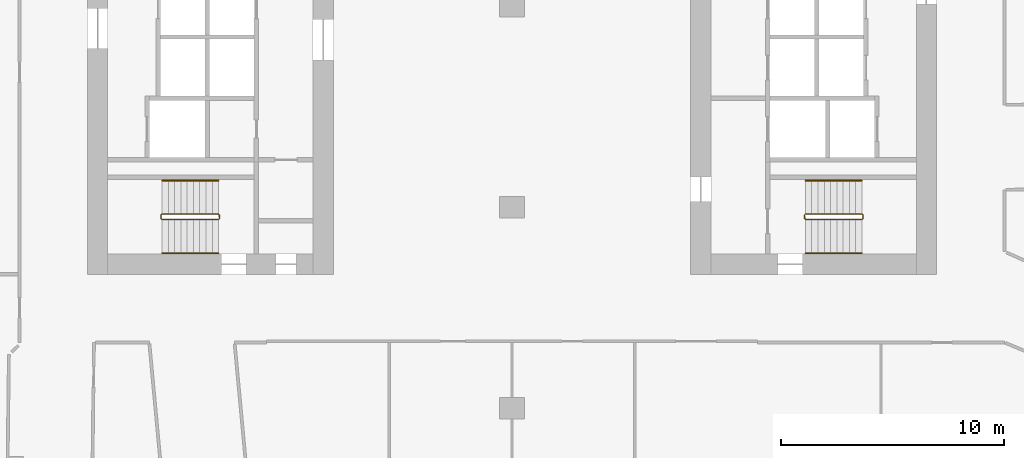
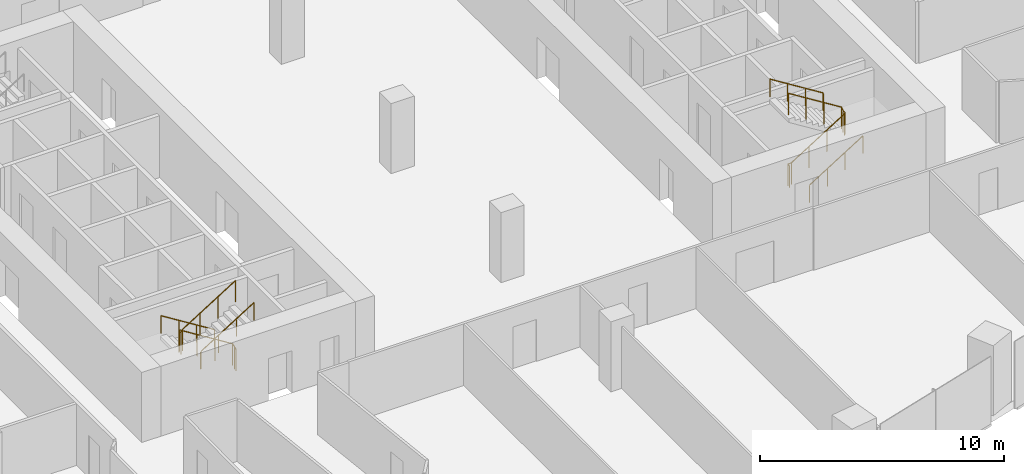
# One storey, part 29 of 31: 6 railings.
"""IFC4 building model written with IfcOpenShell, lengths in metres."""

import ifcopenshell
import ifcopenshell.guid

model = None  # the IFC model being written
_history = None  # IfcOwnerHistory: only IFC2X3 demands one
_inside = {}  # id of a spatial element -> (the spatial element, [elements in it])
_under = {}  # id of a project, library or spatial element -> (it, [spatial elements below it])
_declared = {}  # id of a project -> (the project, [libraries it declares])
_typed = {}  # id of a type object -> (the type object, [elements of that type])
_made_of = {}  # id of a material, layer set ... -> (it, [elements and type objects made of it])


def new_model(schema):
    """Start an empty IFC model of exactly this schema.

    Asked for "IFC4X3", IfcOpenShell would pick the latest addendum, in which some entities
    have other attributes; the version numbers below select the first issue.
    IFC2X3 requires an IfcOwnerHistory on every rooted entity: one is made here for all.
    """
    global model, _history
    if schema == "IFC4X3":
        model = ifcopenshell.file(schema_version=(4, 3, 0, 0))
    else:
        model = ifcopenshell.file(schema=schema)
    _inside.clear()
    _under.clear()
    _declared.clear()
    _typed.clear()
    _made_of.clear()
    _history = None
    if model.schema == "IFC2X3":
        org = make("IfcOrganization", Name="unknown")
        user = make(
            "IfcPersonAndOrganization",
            ThePerson=make("IfcPerson", FamilyName="unknown"),
            TheOrganization=org,
        )
        app = make(
            "IfcApplication",
            ApplicationDeveloper=org,
            Version="unknown",
            ApplicationFullName="unknown",
            ApplicationIdentifier="unknown",
        )
        _history = make(
            "IfcOwnerHistory",
            OwningUser=user,
            OwningApplication=app,
            ChangeAction="ADDED",
            CreationDate=0,
        )
    return model


def make(cls, **values):
    """One entity of the class cls with the attributes given. An attribute that is None is left unset."""
    return model.create_entity(
        cls, **{name: value for name, value in values.items() if value is not None}
    )


def rooted(cls, **values):
    """An entity with a GlobalId (a new one), such as an element, a storey or a relation."""
    return make(cls, GlobalId=ifcopenshell.guid.new(), OwnerHistory=_history, **values)


def si_unit(unit_type, name, prefix=None):
    """IfcSIUnit, for example si_unit("LENGTHUNIT", "METRE", prefix="MILLI")."""
    return make("IfcSIUnit", UnitType=unit_type, Prefix=prefix, Name=name)


def assignment(units):
    """IfcUnitAssignment: the units of a project."""
    return None if units is None else make("IfcUnitAssignment", Units=units)


def point(xyz):
    """IfcCartesianPoint."""
    return None if xyz is None else make("IfcCartesianPoint", Coordinates=xyz)


def direction(xyz):
    """IfcDirection."""
    return None if xyz is None else make("IfcDirection", DirectionRatios=xyz)


def frame(location, z_axis=None, x_axis=None):
    """IfcAxis2Placement3D, a coordinate frame: its origin and axes. An axis left out is left unset."""
    return make(
        "IfcAxis2Placement3D",
        Location=point(location),
        Axis=direction(z_axis),
        RefDirection=direction(x_axis),
    )


def frame_2d(location, x_axis=None):
    """IfcAxis2Placement2D, a coordinate frame in the plane: its origin and x axis."""
    return make(
        "IfcAxis2Placement2D", Location=point(location), RefDirection=direction(x_axis)
    )


def origin():
    """The frame at (0, 0, 0) with its axes left unset."""
    return frame((0.0, 0.0, 0.0))


def origin_2d():
    """The frame at (0, 0) in the plane with its x axis left unset."""
    return frame_2d((0.0, 0.0))


def place(relative_to, where):
    """IfcLocalPlacement: puts the frame where relative to a parent placement (None: the world)."""
    return make(
        "IfcLocalPlacement", PlacementRelTo=relative_to, RelativePlacement=where
    )


def context(
    kind, dimensions, precision=None, world=None, true_north=None, identifier=None
):
    """IfcGeometricRepresentationContext, for example the 3D "Model" context."""
    return make(
        "IfcGeometricRepresentationContext",
        ContextIdentifier=identifier,
        ContextType=kind,
        CoordinateSpaceDimension=dimensions,
        Precision=precision,
        WorldCoordinateSystem=world,
        TrueNorth=true_north,
    )


def subcontext(parent, identifier, kind, view, scale=None):
    """IfcGeometricRepresentationSubContext, for example "Body" below "Model"."""
    return make(
        "IfcGeometricRepresentationSubContext",
        ContextIdentifier=identifier,
        ContextType=kind,
        ParentContext=parent,
        TargetScale=scale,
        TargetView=view,
    )


def project(units=None, contexts=None):
    """IfcProject with its units and contexts."""
    return rooted(
        "IfcProject",
        Name="project",
        RepresentationContexts=contexts,
        UnitsInContext=assignment(units),
    )


def spatial(cls, under=None, at=None, **own):
    """A site, building, storey or space (cls), placed at a placement, below another one or the project."""
    s = rooted(cls, ObjectPlacement=at, **own)
    if under is not None:
        _under.setdefault(under.id(), (under, []))[1].append(s)
    return s


def profile(cls, at=None, kind="AREA", **sizes):
    """A parametric profile (cls). Its sizes go by their IFC names, for example OverallWidth=200.0."""
    return make(cls, ProfileType=kind, Position=at, **sizes)


def circle(**sizes):
    """IfcCircleProfileDef."""
    return profile("IfcCircleProfileDef", **sizes)


def extrude(swept, where, along, depth):
    """IfcExtrudedAreaSolid: the profile swept, set in the frame where, extruded along a direction by depth."""
    return make(
        "IfcExtrudedAreaSolid",
        SweptArea=swept,
        Position=where,
        ExtrudedDirection=direction(along),
        Depth=depth,
    )


def shape(context_of_items, identifier, shape_type, items):
    """IfcShapeRepresentation: the items that make up one representation, for example the "Body"."""
    return make(
        "IfcShapeRepresentation",
        ContextOfItems=context_of_items,
        RepresentationIdentifier=identifier,
        RepresentationType=shape_type,
        Items=items,
    )


def material(Name=None, Category=None):
    """IfcMaterial."""
    return make("IfcMaterial", Name=Name, Category=Category)


def made_of(thing, what):
    """Note that an element or type object is made of a material, layer set ...; save() writes the relation."""
    if what is not None:
        _made_of.setdefault(what.id(), (what, []))[1].append(thing)
    return thing


def type_object(cls, material=None, **own):
    """A type object (cls), such as IfcWallType, which elements share."""
    return made_of(rooted(cls, **own), material)


def element(
    cls,
    number,
    at=None,
    inside=None,
    cuts=None,
    type_object=None,
    material=None,
    context=None,
    identifier="Body",
    shape_type=None,
    held_by="IfcProductDefinitionShape",
    body=None,
    shapes=None,
    **own,
):
    """One element of the class cls, such as IfcWall. Its Tag is "e" and its number.

    at: its placement. inside: the storey or other place that contains it. cuts: it is an
    opening in that element (IfcRelVoidsElement). A single representation is given by context,
    identifier, shape_type and body (its items); several are given by shapes. held_by: the class
    of the entity that holds the representations. save() writes the other relations.
    """
    e = rooted(cls, Tag="e%d" % number, ObjectPlacement=at, **own)
    if body is not None:
        shapes = [shape(context, identifier, shape_type, body)]
    if shapes is not None:
        e.Representation = make(held_by, Representations=shapes)
    if inside is not None:
        _inside.setdefault(inside.id(), (inside, []))[1].append(e)
    if cuts is not None:
        rooted(
            "IfcRelVoidsElement", RelatingBuildingElement=cuts, RelatedOpeningElement=e
        )
    if type_object is not None:
        _typed.setdefault(type_object.id(), (type_object, []))[1].append(e)
    return made_of(e, material)


def aggregate(whole, parts):
    """IfcRelAggregates: a whole, such as a stair, and the parts it consists of."""
    return rooted("IfcRelAggregates", RelatingObject=whole, RelatedObjects=parts)


def save(model, path):
    """Write the relations noted so far, then the file.

    IfcRelAggregates (storeys below a building ...), IfcRelContainedInSpatialStructure (elements
    in a storey), IfcRelDefinesByType, IfcRelAssociatesMaterial and IfcRelDeclares: one each for
    every whole, place, type object, material and project.
    """
    for whole, parts in _under.values():
        aggregate(whole, parts)
    for where, things in _inside.values():
        rooted(
            "IfcRelContainedInSpatialStructure",
            RelatedElements=things,
            RelatingStructure=where,
        )
    for kind, things in _typed.values():
        rooted("IfcRelDefinesByType", RelatedObjects=things, RelatingType=kind)
    for what, things in _made_of.values():
        rooted("IfcRelAssociatesMaterial", RelatedObjects=things, RelatingMaterial=what)
    for by, libraries in _declared.values():
        rooted("IfcRelDeclares", RelatingContext=by, RelatedDefinitions=libraries)
    model.write(path)


model = new_model("IFC4")

# Units and contexts
model_context = context("Model", 3, precision=1e-05, world=origin(), true_north=direction((0.0, 1.0)))
body_context = subcontext(model_context, "Body", "Model", "MODEL_VIEW")
ifc_project = project(units=[si_unit("LENGTHUNIT", "METRE"), si_unit("AREAUNIT", "SQUARE_METRE"), si_unit("VOLUMEUNIT", "CUBIC_METRE"), si_unit("PLANEANGLEUNIT", "RADIAN"), si_unit("MASSUNIT", "GRAM", prefix="KILO")], contexts=[model_context])

# Site, building, storey
site_placement = place(None, origin())
site = spatial("IfcSite", under=ifc_project, at=site_placement, CompositionType="ELEMENT")
building_placement = place(site_placement, origin())
building = spatial("IfcBuilding", under=site, at=building_placement, Name="Orlundy Tower", CompositionType="ELEMENT")
storey_placement = place(building_placement, frame((0.0, 0.0, 94.699951171875)))
storey = spatial("IfcBuildingStorey", under=building, at=storey_placement, Name="L23", CompositionType="ELEMENT", Elevation=94.699951171875)

# Railings
ifc_material_1 = material(Name="Steel balustrade", Category="steel")
railing_type_1 = type_object("IfcRailingType", Name="Stair Guard 1100", PredefinedType="GUARDRAIL", material=ifc_material_1)
railing_1_placement = place(storey_placement, frame((-13.090087890625, -9.35009765625, 0.0)))
element("IfcRailing", 1, at=railing_1_placement, inside=storey, type_object=railing_type_1, Name="L23 ST-W2 stair guard 1", PredefinedType="GUARDRAIL", context=body_context, shape_type="SweptSolid", body=[
    extrude(circle(Radius=0.02392578125, at=origin_2d()), frame((0.0, 0.0, 1.076171875), z_axis=(0.0, -1.0, 0.0), x_axis=(1.0, 0.0, 0.0)), (0.0, 0.0, 1.0), 0.14990234375),
    extrude(circle(Radius=0.02392578125, at=origin_2d()), frame((0.0, -0.14990234375, 1.076171875), z_axis=(-0.18420542264, 0.739530593833, 0.647427882513), x_axis=(-0.970351222016, -0.241699205484, 0.0)), (0.0, 0.0, 1.0), 0.270263671875),
    extrude(circle(Radius=0.02392578125, at=origin_2d()), frame((-0.0498046875, 0.050048828125, 1.2509765625), z_axis=(-0.848007534815, 0.0, 0.529984170421), x_axis=(0.0, -1.0, 0.0)), (0.0, 0.0, 1.0), 2.9716796875),
    extrude(circle(Radius=0.02392578125, at=origin_2d()), frame((-2.56982421875, 0.050048828125, 2.826171875), z_axis=(-0.707106781187, -0.707106781187, 0.0), x_axis=(0.707106781187, -0.707106781187, 0.0)), (0.0, 0.0, 1.0), 0.07080078125),
    extrude(circle(Radius=0.02392578125, at=origin_2d()), frame((-2.619873046875, 0.0, 2.826171875), z_axis=(0.0, -1.0, 0.0), x_axis=(1.0, 0.0, 0.0)), (0.0, 0.0, 1.0), 0.14990234375),
    extrude(circle(Radius=0.02392578125, at=origin_2d()), frame((-2.619873046875, -0.14990234375, 2.826171875), z_axis=(0.265065253269, -0.265065253269, 0.927081885822), x_axis=(0.707106781187, 0.707106781187, 0.0)), (0.0, 0.0, 1.0), 0.188720703125),
    extrude(circle(Radius=0.02392578125, at=origin_2d()), frame((-2.56982421875, -0.199951171875, 3.0009765625), z_axis=(0.848007534815, 0.0, 0.529984170421), x_axis=(0.0, 1.0, 0.0)), (0.0, 0.0, 1.0), 2.9716796875),
    extrude(circle(Radius=0.02099609375, at=origin_2d()), origin(), (0.0, 0.0, 1.0), 1.052001953125),
    extrude(circle(Radius=0.02099609375, at=origin_2d()), frame((0.0, -0.14990234375, 0.0)), (0.0, 0.0, 1.0), 1.052001953125),
    extrude(circle(Radius=0.02099609375, at=origin_2d()), frame((-0.0498046875, 0.050048828125, 0.175048828125)), (0.0, 0.0, 1.0), 1.052001953125),
    extrude(circle(Radius=0.02099609375, at=origin_2d()), frame((-0.889892578125, 0.050048828125, 0.699951171875)), (0.0, 0.0, 1.0), 1.052001953125),
    extrude(circle(Radius=0.02099609375, at=origin_2d()), frame((-1.729736328125, 0.050048828125, 1.22509765625)), (0.0, 0.0, 1.0), 1.052001953125),
    extrude(circle(Radius=0.02099609375, at=origin_2d()), frame((-2.56982421875, 0.050048828125, 1.75)), (0.0, 0.0, 1.0), 1.052001953125),
    extrude(circle(Radius=0.02099609375, at=origin_2d()), frame((-2.619873046875, 0.0, 1.75)), (0.0, 0.0, 1.0), 1.052001953125),
    extrude(circle(Radius=0.02099609375, at=origin_2d()), frame((-2.619873046875, -0.14990234375, 1.75)), (0.0, 0.0, 1.0), 1.052001953125),
    extrude(circle(Radius=0.02099609375, at=origin_2d()), frame((-2.56982421875, -0.199951171875, 1.925048828125)), (0.0, 0.0, 1.0), 1.052001953125),
    extrude(circle(Radius=0.02099609375, at=origin_2d()), frame((-1.729736328125, -0.199951171875, 2.449951171875)), (0.0, 0.0, 1.0), 1.052001953125),
    extrude(circle(Radius=0.02099609375, at=origin_2d()), frame((-0.889892578125, -0.199951171875, 2.97509765625)), (0.0, 0.0, 1.0), 1.052001953125),
    extrude(circle(Radius=0.02099609375, at=origin_2d()), frame((-0.0498046875, -0.199951171875, 3.5)), (0.0, 0.0, 1.0), 1.052001953125),
])
railing_2_placement = place(storey_placement, frame((13.090087890625, -9.5, 0.0)))
element("IfcRailing", 2, at=railing_2_placement, inside=storey, type_object=railing_type_1, Name="L23 ST-E1 stair guard 1", PredefinedType="GUARDRAIL", context=body_context, shape_type="SweptSolid", body=[
    extrude(circle(Radius=0.02392578125, at=origin_2d()), frame((0.0, 0.0, 1.076171875), z_axis=(0.0, 1.0, 0.0), x_axis=(-1.0, 0.0, 0.0)), (0.0, 0.0, 1.0), 0.14990234375),
    extrude(circle(Radius=0.02392578125, at=origin_2d()), frame((0.0, 0.14990234375, 1.076171875), z_axis=(0.18420542264, -0.739530593833, 0.647427882513), x_axis=(0.970351222016, 0.241699205484, 0.0)), (0.0, 0.0, 1.0), 0.270263671875),
    extrude(circle(Radius=0.02392578125, at=origin_2d()), frame((0.0498046875, -0.050048828125, 1.2509765625), z_axis=(0.848007534815, 0.0, 0.529984170421), x_axis=(0.0, 1.0, 0.0)), (0.0, 0.0, 1.0), 2.9716796875),
    extrude(circle(Radius=0.02392578125, at=origin_2d()), frame((2.56982421875, -0.050048828125, 2.826171875), z_axis=(0.707106781187, 0.707106781187, 0.0), x_axis=(-0.707106781187, 0.707106781187, 0.0)), (0.0, 0.0, 1.0), 0.07080078125),
    extrude(circle(Radius=0.02392578125, at=origin_2d()), frame((2.619873046875, 0.0, 2.826171875), z_axis=(0.0, 1.0, 0.0), x_axis=(-1.0, 0.0, 0.0)), (0.0, 0.0, 1.0), 0.14990234375),
    extrude(circle(Radius=0.02392578125, at=origin_2d()), frame((2.619873046875, 0.14990234375, 2.826171875), z_axis=(-0.265065253269, 0.265065253269, 0.927081885822), x_axis=(-0.707106781187, -0.707106781187, 0.0)), (0.0, 0.0, 1.0), 0.188720703125),
    extrude(circle(Radius=0.02392578125, at=origin_2d()), frame((2.56982421875, 0.199951171875, 3.0009765625), z_axis=(-0.848007534815, 0.0, 0.529984170421), x_axis=(0.0, -1.0, 0.0)), (0.0, 0.0, 1.0), 2.9716796875),
    extrude(circle(Radius=0.02099609375, at=origin_2d()), origin(), (0.0, 0.0, 1.0), 1.052001953125),
    extrude(circle(Radius=0.02099609375, at=origin_2d()), frame((0.0, 0.14990234375, 0.0)), (0.0, 0.0, 1.0), 1.052001953125),
    extrude(circle(Radius=0.02099609375, at=origin_2d()), frame((0.0498046875, -0.050048828125, 0.175048828125)), (0.0, 0.0, 1.0), 1.052001953125),
    extrude(circle(Radius=0.02099609375, at=origin_2d()), frame((0.889892578125, -0.050048828125, 0.699951171875)), (0.0, 0.0, 1.0), 1.052001953125),
    extrude(circle(Radius=0.02099609375, at=origin_2d()), frame((1.729736328125, -0.050048828125, 1.22509765625)), (0.0, 0.0, 1.0), 1.052001953125),
    extrude(circle(Radius=0.02099609375, at=origin_2d()), frame((2.56982421875, -0.050048828125, 1.75)), (0.0, 0.0, 1.0), 1.052001953125),
    extrude(circle(Radius=0.02099609375, at=origin_2d()), frame((2.619873046875, 0.0, 1.75)), (0.0, 0.0, 1.0), 1.052001953125),
    extrude(circle(Radius=0.02099609375, at=origin_2d()), frame((2.619873046875, 0.14990234375, 1.75)), (0.0, 0.0, 1.0), 1.052001953125),
    extrude(circle(Radius=0.02099609375, at=origin_2d()), frame((2.56982421875, 0.199951171875, 1.925048828125)), (0.0, 0.0, 1.0), 1.052001953125),
    extrude(circle(Radius=0.02099609375, at=origin_2d()), frame((1.729736328125, 0.199951171875, 2.449951171875)), (0.0, 0.0, 1.0), 1.052001953125),
    extrude(circle(Radius=0.02099609375, at=origin_2d()), frame((0.889892578125, 0.199951171875, 2.97509765625)), (0.0, 0.0, 1.0), 1.052001953125),
    extrude(circle(Radius=0.02099609375, at=origin_2d()), frame((0.0498046875, 0.199951171875, 3.5)), (0.0, 0.0, 1.0), 1.052001953125),
])
ifc_material_2 = material(Name="Steel handrail", Category="steel")
railing_type_2 = type_object("IfcRailingType", Name="Stair Handrail 900", PredefinedType="HANDRAIL", material=ifc_material_2)
railing_3_placement = place(storey_placement, frame((-13.139892578125, -7.800048828125, 0.175048828125)))
element("IfcRailing", 3, at=railing_3_placement, inside=storey, type_object=railing_type_2, Name="L23 ST-W2 stair handrail 1", PredefinedType="HANDRAIL", context=body_context, shape_type="SweptSolid", body=[
    extrude(circle(Radius=0.02392578125, at=origin_2d()), frame((0.0, 0.0, 0.8759765625), z_axis=(-0.848007534815, 0.0, 0.529984170421), x_axis=(0.0, -1.0, 0.0)), (0.0, 0.0, 1.0), 2.9716796875),
    extrude(circle(Radius=0.02099609375, at=origin_2d()), origin(), (0.0, 0.0, 1.0), 0.851806640625),
    extrude(circle(Radius=0.02099609375, at=origin_2d()), frame((-0.840087890625, 0.0, 0.52490234375)), (0.0, 0.0, 1.0), 0.851806640625),
    extrude(circle(Radius=0.02099609375, at=origin_2d()), frame((-1.679931640625, 0.0, 1.050048828125)), (0.0, 0.0, 1.0), 0.851806640625),
    extrude(circle(Radius=0.02099609375, at=origin_2d()), frame((-2.52001953125, 0.0, 1.574951171875)), (0.0, 0.0, 1.0), 0.851806640625),
])
for number, where, name in (
    (4, (-15.659912109375, -11.050048828125, 1.925048828125), "L23 ST-W2 stair handrail 2"),
    (5, (13.139892578125, -11.050048828125, 0.175048828125), "L23 ST-E1 stair handrail 1"),
):
    element("IfcRailing", number, at=place(storey_placement, frame(where)), inside=storey, type_object=railing_type_2, Name=name, PredefinedType="HANDRAIL", context=body_context, shape_type="SweptSolid", body=[
        extrude(circle(Radius=0.02392578125, at=origin_2d()), frame((0.0, 0.0, 0.8759765625), z_axis=(0.848007534815, 0.0, 0.529984170421), x_axis=(0.0, 1.0, 0.0)), (0.0, 0.0, 1.0), 2.9716796875),
        extrude(circle(Radius=0.02099609375, at=origin_2d()), origin(), (0.0, 0.0, 1.0), 0.851806640625),
        extrude(circle(Radius=0.02099609375, at=origin_2d()), frame((0.840087890625, 0.0, 0.52490234375)), (0.0, 0.0, 1.0), 0.851806640625),
        extrude(circle(Radius=0.02099609375, at=origin_2d()), frame((1.679931640625, 0.0, 1.050048828125)), (0.0, 0.0, 1.0), 0.851806640625),
        extrude(circle(Radius=0.02099609375, at=origin_2d()), frame((2.52001953125, 0.0, 1.574951171875)), (0.0, 0.0, 1.0), 0.851806640625),
    ])
railing_4_placement = place(storey_placement, frame((15.659912109375, -7.800048828125, 1.925048828125)))
element("IfcRailing", 6, at=railing_4_placement, inside=storey, type_object=railing_type_2, Name="L23 ST-E1 stair handrail 2", PredefinedType="HANDRAIL", context=body_context, shape_type="SweptSolid", body=[
    extrude(circle(Radius=0.02392578125, at=origin_2d()), frame((0.0, 0.0, 0.8759765625), z_axis=(-0.848007534815, 0.0, 0.529984170421), x_axis=(0.0, -1.0, 0.0)), (0.0, 0.0, 1.0), 2.9716796875),
    extrude(circle(Radius=0.02099609375, at=origin_2d()), origin(), (0.0, 0.0, 1.0), 0.851806640625),
    extrude(circle(Radius=0.02099609375, at=origin_2d()), frame((-0.840087890625, 0.0, 0.52490234375)), (0.0, 0.0, 1.0), 0.851806640625),
    extrude(circle(Radius=0.02099609375, at=origin_2d()), frame((-1.679931640625, 0.0, 1.050048828125)), (0.0, 0.0, 1.0), 0.851806640625),
    extrude(circle(Radius=0.02099609375, at=origin_2d()), frame((-2.52001953125, 0.0, 1.574951171875)), (0.0, 0.0, 1.0), 0.851806640625),
])

save(model, "model.ifc")
